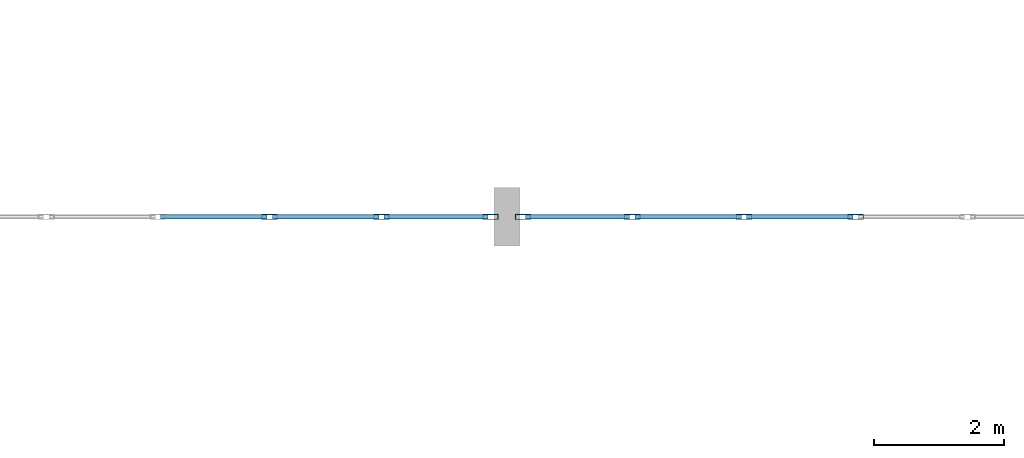
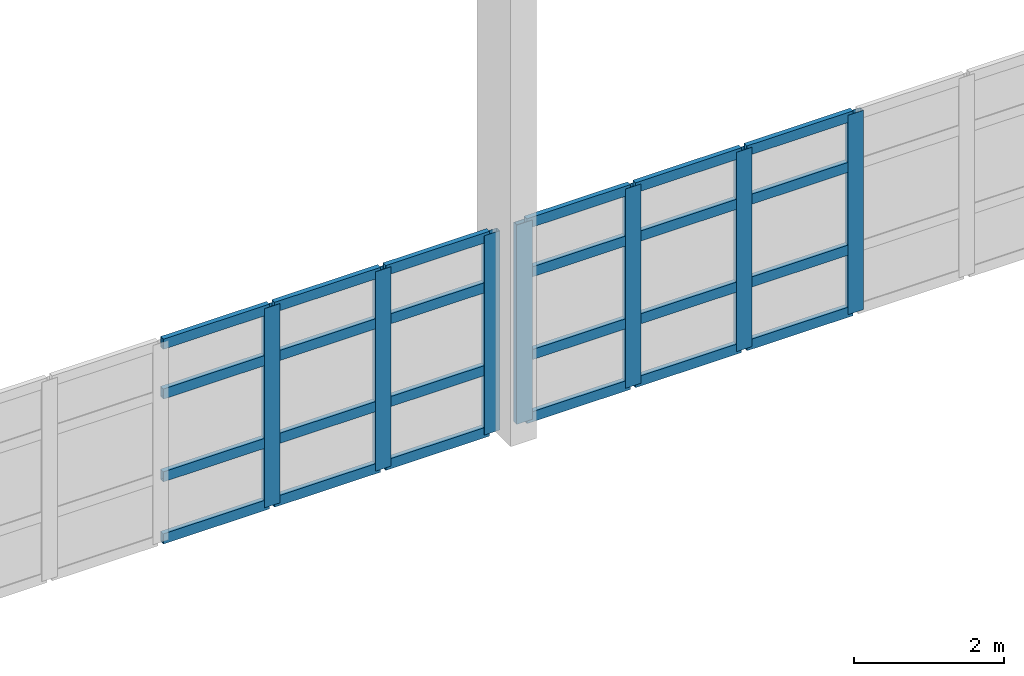
# One storey, part 29 of 80: 31 members, 2 elements without a shape of their own.
"""IFC4 building model written with IfcOpenShell, lengths in metres."""

from ifc_helpers import new_model, si_unit, direction, frame, origin, origin_2d, place, context, subcontext, project, spatial, hollow_rectangle, extrude, material, layer, layer_set, material_profile, profile_set, type_object, element, aggregate, save


model = new_model("IFC4")

# Units and contexts
model_context = context("Model", 3, precision=1e-05, world=origin(), true_north=direction((0.0, 1.0)))
body_context = subcontext(model_context, "Body", "Model", "MODEL_VIEW")
ifc_project = project(units=[si_unit("LENGTHUNIT", "METRE"), si_unit("AREAUNIT", "SQUARE_METRE"), si_unit("VOLUMEUNIT", "CUBIC_METRE"), si_unit("PLANEANGLEUNIT", "RADIAN"), si_unit("MASSUNIT", "GRAM", prefix="KILO")], contexts=[model_context])

# Site, building, storey
site_placement = place(None, origin())
site = spatial("IfcSite", under=ifc_project, at=site_placement, CompositionType="ELEMENT")
building_placement = place(site_placement, origin())
building = spatial("IfcBuilding", under=site, at=building_placement, Name="Ornek Quay Market", CompositionType="ELEMENT")
storey_placement = place(building_placement, frame((0.0, 0.0, 8.39990234375)))
storey = spatial("IfcBuildingStorey", under=building, at=storey_placement, Name="L02", CompositionType="ELEMENT", Elevation=8.39990234375)

# Curtain wall, members
ifc_material_1 = material(Name="Anodised bronze aluminium and triple low-e glass", Category="aluminium")
ifc_layer = layer(ifc_material_1, 0.239990234375, Name="Anodised bronze aluminium and triple low-e glass", Category="aluminium")
ifc_layer_set = layer_set([ifc_layer], Name="Anodised bronze aluminium and triple low-e glass")
curtain_wall_type = type_object("IfcCurtainWallType", Name="CW-GAB-MOD1800", PredefinedType="USERDEFINED", material=ifc_layer_set)
curtain_wall_1_placement = place(storey_placement, origin())
curtain_wall_1 = element("IfcCurtainWall", 1, at=curtain_wall_1_placement, inside=storey, type_object=curtain_wall_type, Name="Curtain wall CW-070", ObjectType="CURTAIN WALL", PredefinedType="USERDEFINED")
ifc_material_2 = material(Name="Anodised aluminium 6063-T6", Category="aluminium")
ifc_material_profile_1 = material_profile(ifc_material_2, hollow_rectangle(XDim=0.080078125, YDim=0.239990234375, WallThickness=0.006103515625, at=origin_2d()), Name="CW-MUL-80x240", Category="aluminium")
ifc_profile_set_1 = profile_set([ifc_material_profile_1], Name="Anodised aluminium 6063-T6")
member_type_1 = type_object("IfcMemberType", Name="CW-MUL-80x240", PredefinedType="MULLION", material=ifc_profile_set_1)
member_1_placement = place(storey_placement, frame((86.35791015625, 92.0, 0.0), z_axis=(0.0, 0.0, 1.0), x_axis=(0.0, 1.0, 0.0)))
member_1 = element("IfcMember", 2, at=member_1_placement, type_object=member_type_1, Name="CW-070 mullion 4", PredefinedType="MULLION", context=body_context, shape_type="SweptSolid", body=[
    extrude(hollow_rectangle(XDim=0.080078125, YDim=0.239990234375, WallThickness=0.006103515625, at=origin_2d()), origin(), (0.0, 0.0, 1.0), 3.25),
])
member_2_placement = place(storey_placement, frame((88.073974609375, 92.0, 0.0), z_axis=(0.0, 0.0, 1.0), x_axis=(0.0, 1.0, 0.0)))
member_2 = element("IfcMember", 3, at=member_2_placement, type_object=member_type_1, Name="CW-070 mullion 5", PredefinedType="MULLION", context=body_context, shape_type="SweptSolid", body=[
    extrude(hollow_rectangle(XDim=0.080078125, YDim=0.239990234375, WallThickness=0.006103515625, at=origin_2d()), origin(), (0.0, 0.0, 1.0), 3.25),
])
member_3_placement = place(storey_placement, frame((89.75, 92.0, 0.0), z_axis=(0.0, 0.0, 1.0), x_axis=(0.0, 1.0, 0.0)))
member_3 = element("IfcMember", 4, at=member_3_placement, type_object=member_type_1, Name="CW-070 mullion 6", PredefinedType="MULLION", context=body_context, shape_type="SweptSolid", body=[
    extrude(hollow_rectangle(XDim=0.080078125, YDim=0.239990234375, WallThickness=0.006103515625, at=origin_2d()), origin(), (0.0, 0.0, 1.0), 3.25),
])

curtain_wall_2_placement = place(storey_placement, origin())
curtain_wall_2 = element("IfcCurtainWall", 5, at=curtain_wall_2_placement, inside=storey, type_object=curtain_wall_type, Name="Curtain wall CW-073", ObjectType="CURTAIN WALL", PredefinedType="USERDEFINED")
member_4_placement = place(storey_placement, frame((90.25, 92.0, 0.0), z_axis=(0.0, 0.0, 1.0), x_axis=(0.0, 1.0, 0.0)))
member_4 = element("IfcMember", 6, at=member_4_placement, type_object=member_type_1, Name="CW-073 mullion 1", PredefinedType="MULLION", context=body_context, shape_type="SweptSolid", body=[
    extrude(hollow_rectangle(XDim=0.080078125, YDim=0.239990234375, WallThickness=0.006103515625, at=origin_2d()), origin(), (0.0, 0.0, 1.0), 3.25),
])
member_5_placement = place(storey_placement, frame((91.926025390625, 92.0, 0.0), z_axis=(0.0, 0.0, 1.0), x_axis=(0.0, 1.0, 0.0)))
member_5 = element("IfcMember", 7, at=member_5_placement, type_object=member_type_1, Name="CW-073 mullion 2", PredefinedType="MULLION", context=body_context, shape_type="SweptSolid", body=[
    extrude(hollow_rectangle(XDim=0.080078125, YDim=0.239990234375, WallThickness=0.006103515625, at=origin_2d()), origin(), (0.0, 0.0, 1.0), 3.25),
])
member_6_placement = place(storey_placement, frame((93.64208984375, 92.0, 0.0), z_axis=(0.0, 0.0, 1.0), x_axis=(0.0, 1.0, 0.0)))
member_6 = element("IfcMember", 8, at=member_6_placement, type_object=member_type_1, Name="CW-073 mullion 3", PredefinedType="MULLION", context=body_context, shape_type="SweptSolid", body=[
    extrude(hollow_rectangle(XDim=0.080078125, YDim=0.239990234375, WallThickness=0.006103515625, at=origin_2d()), origin(), (0.0, 0.0, 1.0), 3.25),
])
member_7_placement = place(storey_placement, frame((95.35791015625, 92.0, 0.0), z_axis=(0.0, 0.0, 1.0), x_axis=(0.0, 1.0, 0.0)))
member_7 = element("IfcMember", 9, at=member_7_placement, type_object=member_type_1, Name="CW-073 mullion 4", PredefinedType="MULLION", context=body_context, shape_type="SweptSolid", body=[
    extrude(hollow_rectangle(XDim=0.080078125, YDim=0.239990234375, WallThickness=0.006103515625, at=origin_2d()), origin(), (0.0, 0.0, 1.0), 3.25),
])

# Member
ifc_material_profile_2 = material_profile(ifc_material_2, hollow_rectangle(XDim=0.074951171875, YDim=0.1650390625, WallThickness=0.0048828125, at=origin_2d()), Name="CW-TRN-75x165", Category="aluminium")
ifc_profile_set_2 = profile_set([ifc_material_profile_2], Name="Anodised aluminium 6063-T6")
member_type_2 = type_object("IfcMemberType", Name="CW-TRN-75x165", PredefinedType="USERDEFINED", material=ifc_profile_set_2)
member_8_placement = place(storey_placement, frame((84.681884765625, 92.0, 0.03759765625), z_axis=(1.0, 0.0, 0.0), x_axis=(0.0, 1.0, 0.0)))
member_8 = element("IfcMember", 10, at=member_8_placement, type_object=member_type_2, Name="CW-070 transom 3.1", ObjectType="TRANSOM", PredefinedType="USERDEFINED", context=body_context, shape_type="SweptSolid", body=[
    extrude(hollow_rectangle(XDim=0.074951171875, YDim=0.1650390625, WallThickness=0.0048828125, at=origin_2d()), origin(), (0.0, 0.0, 1.0), 1.63623046875),
])

member_9_placement = place(storey_placement, frame((84.681884765625, 92.0, 1.050048828125), z_axis=(1.0, 0.0, 0.0), x_axis=(0.0, 1.0, 0.0)))
member_9 = element("IfcMember", 11, at=member_9_placement, type_object=member_type_2, Name="CW-070 transom 3.2", ObjectType="TRANSOM", PredefinedType="USERDEFINED", context=body_context, shape_type="SweptSolid", body=[
    extrude(hollow_rectangle(XDim=0.074951171875, YDim=0.1650390625, WallThickness=0.0048828125, at=origin_2d()), origin(), (0.0, 0.0, 1.0), 1.63623046875),
])

member_10_placement = place(storey_placement, frame((84.681884765625, 92.0, 2.400146484375), z_axis=(1.0, 0.0, 0.0), x_axis=(0.0, 1.0, 0.0)))
member_10 = element("IfcMember", 12, at=member_10_placement, type_object=member_type_2, Name="CW-070 transom 3.3", ObjectType="TRANSOM", PredefinedType="USERDEFINED", context=body_context, shape_type="SweptSolid", body=[
    extrude(hollow_rectangle(XDim=0.074951171875, YDim=0.1650390625, WallThickness=0.0048828125, at=origin_2d()), origin(), (0.0, 0.0, 1.0), 1.63623046875),
])

member_11_placement = place(storey_placement, frame((84.681884765625, 92.0, 3.212646484375), z_axis=(1.0, 0.0, 0.0), x_axis=(0.0, 1.0, 0.0)))
member_11 = element("IfcMember", 13, at=member_11_placement, type_object=member_type_2, Name="CW-070 transom 3.4", ObjectType="TRANSOM", PredefinedType="USERDEFINED", context=body_context, shape_type="SweptSolid", body=[
    extrude(hollow_rectangle(XDim=0.074951171875, YDim=0.1650390625, WallThickness=0.0048828125, at=origin_2d()), origin(), (0.0, 0.0, 1.0), 1.63623046875),
])

member_12_placement = place(storey_placement, frame((86.39794921875, 92.0, 0.03759765625), z_axis=(1.0, 0.0, 0.0), x_axis=(0.0, 1.0, 0.0)))
member_12 = element("IfcMember", 14, at=member_12_placement, type_object=member_type_2, Name="CW-070 transom 4.1", ObjectType="TRANSOM", PredefinedType="USERDEFINED", context=body_context, shape_type="SweptSolid", body=[
    extrude(hollow_rectangle(XDim=0.074951171875, YDim=0.1650390625, WallThickness=0.0048828125, at=origin_2d()), origin(), (0.0, 0.0, 1.0), 1.635986328125),
])

member_13_placement = place(storey_placement, frame((86.39794921875, 92.0, 1.050048828125), z_axis=(1.0, 0.0, 0.0), x_axis=(0.0, 1.0, 0.0)))
member_13 = element("IfcMember", 15, at=member_13_placement, type_object=member_type_2, Name="CW-070 transom 4.2", ObjectType="TRANSOM", PredefinedType="USERDEFINED", context=body_context, shape_type="SweptSolid", body=[
    extrude(hollow_rectangle(XDim=0.074951171875, YDim=0.1650390625, WallThickness=0.0048828125, at=origin_2d()), origin(), (0.0, 0.0, 1.0), 1.635986328125),
])

member_14_placement = place(storey_placement, frame((86.39794921875, 92.0, 2.400146484375), z_axis=(1.0, 0.0, 0.0), x_axis=(0.0, 1.0, 0.0)))
member_14 = element("IfcMember", 16, at=member_14_placement, type_object=member_type_2, Name="CW-070 transom 4.3", ObjectType="TRANSOM", PredefinedType="USERDEFINED", context=body_context, shape_type="SweptSolid", body=[
    extrude(hollow_rectangle(XDim=0.074951171875, YDim=0.1650390625, WallThickness=0.0048828125, at=origin_2d()), origin(), (0.0, 0.0, 1.0), 1.635986328125),
])

member_15_placement = place(storey_placement, frame((86.39794921875, 92.0, 3.212646484375), z_axis=(1.0, 0.0, 0.0), x_axis=(0.0, 1.0, 0.0)))
member_15 = element("IfcMember", 17, at=member_15_placement, type_object=member_type_2, Name="CW-070 transom 4.4", ObjectType="TRANSOM", PredefinedType="USERDEFINED", context=body_context, shape_type="SweptSolid", body=[
    extrude(hollow_rectangle(XDim=0.074951171875, YDim=0.1650390625, WallThickness=0.0048828125, at=origin_2d()), origin(), (0.0, 0.0, 1.0), 1.635986328125),
])

member_16_placement = place(storey_placement, frame((88.114013671875, 92.0, 0.03759765625), z_axis=(1.0, 0.0, 0.0), x_axis=(0.0, 1.0, 0.0)))
member_16 = element("IfcMember", 18, at=member_16_placement, type_object=member_type_2, Name="CW-070 transom 5.1", ObjectType="TRANSOM", PredefinedType="USERDEFINED", context=body_context, shape_type="SweptSolid", body=[
    extrude(hollow_rectangle(XDim=0.074951171875, YDim=0.1650390625, WallThickness=0.0048828125, at=origin_2d()), origin(), (0.0, 0.0, 1.0), 1.595947265625),
])

member_17_placement = place(storey_placement, frame((88.114013671875, 92.0, 1.050048828125), z_axis=(1.0, 0.0, 0.0), x_axis=(0.0, 1.0, 0.0)))
member_17 = element("IfcMember", 19, at=member_17_placement, type_object=member_type_2, Name="CW-070 transom 5.2", ObjectType="TRANSOM", PredefinedType="USERDEFINED", context=body_context, shape_type="SweptSolid", body=[
    extrude(hollow_rectangle(XDim=0.074951171875, YDim=0.1650390625, WallThickness=0.0048828125, at=origin_2d()), origin(), (0.0, 0.0, 1.0), 1.595947265625),
])

member_18_placement = place(storey_placement, frame((88.114013671875, 92.0, 2.400146484375), z_axis=(1.0, 0.0, 0.0), x_axis=(0.0, 1.0, 0.0)))
member_18 = element("IfcMember", 20, at=member_18_placement, type_object=member_type_2, Name="CW-070 transom 5.3", ObjectType="TRANSOM", PredefinedType="USERDEFINED", context=body_context, shape_type="SweptSolid", body=[
    extrude(hollow_rectangle(XDim=0.074951171875, YDim=0.1650390625, WallThickness=0.0048828125, at=origin_2d()), origin(), (0.0, 0.0, 1.0), 1.595947265625),
])

member_19_placement = place(storey_placement, frame((88.114013671875, 92.0, 3.212646484375), z_axis=(1.0, 0.0, 0.0), x_axis=(0.0, 1.0, 0.0)))
member_19 = element("IfcMember", 21, at=member_19_placement, type_object=member_type_2, Name="CW-070 transom 5.4", ObjectType="TRANSOM", PredefinedType="USERDEFINED", context=body_context, shape_type="SweptSolid", body=[
    extrude(hollow_rectangle(XDim=0.074951171875, YDim=0.1650390625, WallThickness=0.0048828125, at=origin_2d()), origin(), (0.0, 0.0, 1.0), 1.595947265625),
])

aggregate(curtain_wall_1, [member_1, member_2, member_3, member_8, member_9, member_10, member_11, member_12, member_13, member_14, member_15, member_16, member_17, member_18, member_19])

member_20_placement = place(storey_placement, frame((90.2900390625, 92.0, 0.03759765625), z_axis=(1.0, 0.0, 0.0), x_axis=(0.0, 1.0, 0.0)))
member_20 = element("IfcMember", 22, at=member_20_placement, type_object=member_type_2, Name="CW-073 transom 1.1", ObjectType="TRANSOM", PredefinedType="USERDEFINED", context=body_context, shape_type="SweptSolid", body=[
    extrude(hollow_rectangle(XDim=0.074951171875, YDim=0.1650390625, WallThickness=0.0048828125, at=origin_2d()), origin(), (0.0, 0.0, 1.0), 1.595947265625),
])

member_21_placement = place(storey_placement, frame((90.2900390625, 92.0, 1.050048828125), z_axis=(1.0, 0.0, 0.0), x_axis=(0.0, 1.0, 0.0)))
member_21 = element("IfcMember", 23, at=member_21_placement, type_object=member_type_2, Name="CW-073 transom 1.2", ObjectType="TRANSOM", PredefinedType="USERDEFINED", context=body_context, shape_type="SweptSolid", body=[
    extrude(hollow_rectangle(XDim=0.074951171875, YDim=0.1650390625, WallThickness=0.0048828125, at=origin_2d()), origin(), (0.0, 0.0, 1.0), 1.595947265625),
])

member_22_placement = place(storey_placement, frame((90.2900390625, 92.0, 2.400146484375), z_axis=(1.0, 0.0, 0.0), x_axis=(0.0, 1.0, 0.0)))
member_22 = element("IfcMember", 24, at=member_22_placement, type_object=member_type_2, Name="CW-073 transom 1.3", ObjectType="TRANSOM", PredefinedType="USERDEFINED", context=body_context, shape_type="SweptSolid", body=[
    extrude(hollow_rectangle(XDim=0.074951171875, YDim=0.1650390625, WallThickness=0.0048828125, at=origin_2d()), origin(), (0.0, 0.0, 1.0), 1.595947265625),
])

member_23_placement = place(storey_placement, frame((90.2900390625, 92.0, 3.212646484375), z_axis=(1.0, 0.0, 0.0), x_axis=(0.0, 1.0, 0.0)))
member_23 = element("IfcMember", 25, at=member_23_placement, type_object=member_type_2, Name="CW-073 transom 1.4", ObjectType="TRANSOM", PredefinedType="USERDEFINED", context=body_context, shape_type="SweptSolid", body=[
    extrude(hollow_rectangle(XDim=0.074951171875, YDim=0.1650390625, WallThickness=0.0048828125, at=origin_2d()), origin(), (0.0, 0.0, 1.0), 1.595947265625),
])

member_24_placement = place(storey_placement, frame((91.966064453125, 92.0, 0.03759765625), z_axis=(1.0, 0.0, 0.0), x_axis=(0.0, 1.0, 0.0)))
member_24 = element("IfcMember", 26, at=member_24_placement, type_object=member_type_2, Name="CW-073 transom 2.1", ObjectType="TRANSOM", PredefinedType="USERDEFINED", context=body_context, shape_type="SweptSolid", body=[
    extrude(hollow_rectangle(XDim=0.074951171875, YDim=0.1650390625, WallThickness=0.0048828125, at=origin_2d()), origin(), (0.0, 0.0, 1.0), 1.635986328125),
])

member_25_placement = place(storey_placement, frame((91.966064453125, 92.0, 1.050048828125), z_axis=(1.0, 0.0, 0.0), x_axis=(0.0, 1.0, 0.0)))
member_25 = element("IfcMember", 27, at=member_25_placement, type_object=member_type_2, Name="CW-073 transom 2.2", ObjectType="TRANSOM", PredefinedType="USERDEFINED", context=body_context, shape_type="SweptSolid", body=[
    extrude(hollow_rectangle(XDim=0.074951171875, YDim=0.1650390625, WallThickness=0.0048828125, at=origin_2d()), origin(), (0.0, 0.0, 1.0), 1.635986328125),
])

member_26_placement = place(storey_placement, frame((91.966064453125, 92.0, 2.400146484375), z_axis=(1.0, 0.0, 0.0), x_axis=(0.0, 1.0, 0.0)))
member_26 = element("IfcMember", 28, at=member_26_placement, type_object=member_type_2, Name="CW-073 transom 2.3", ObjectType="TRANSOM", PredefinedType="USERDEFINED", context=body_context, shape_type="SweptSolid", body=[
    extrude(hollow_rectangle(XDim=0.074951171875, YDim=0.1650390625, WallThickness=0.0048828125, at=origin_2d()), origin(), (0.0, 0.0, 1.0), 1.635986328125),
])

member_27_placement = place(storey_placement, frame((91.966064453125, 92.0, 3.212646484375), z_axis=(1.0, 0.0, 0.0), x_axis=(0.0, 1.0, 0.0)))
member_27 = element("IfcMember", 29, at=member_27_placement, type_object=member_type_2, Name="CW-073 transom 2.4", ObjectType="TRANSOM", PredefinedType="USERDEFINED", context=body_context, shape_type="SweptSolid", body=[
    extrude(hollow_rectangle(XDim=0.074951171875, YDim=0.1650390625, WallThickness=0.0048828125, at=origin_2d()), origin(), (0.0, 0.0, 1.0), 1.635986328125),
])

member_28_placement = place(storey_placement, frame((93.681884765625, 92.0, 0.03759765625), z_axis=(1.0, 0.0, 0.0), x_axis=(0.0, 1.0, 0.0)))
member_28 = element("IfcMember", 30, at=member_28_placement, type_object=member_type_2, Name="CW-073 transom 3.1", ObjectType="TRANSOM", PredefinedType="USERDEFINED", context=body_context, shape_type="SweptSolid", body=[
    extrude(hollow_rectangle(XDim=0.074951171875, YDim=0.1650390625, WallThickness=0.0048828125, at=origin_2d()), origin(), (0.0, 0.0, 1.0), 1.63623046875),
])

member_29_placement = place(storey_placement, frame((93.681884765625, 92.0, 1.050048828125), z_axis=(1.0, 0.0, 0.0), x_axis=(0.0, 1.0, 0.0)))
member_29 = element("IfcMember", 31, at=member_29_placement, type_object=member_type_2, Name="CW-073 transom 3.2", ObjectType="TRANSOM", PredefinedType="USERDEFINED", context=body_context, shape_type="SweptSolid", body=[
    extrude(hollow_rectangle(XDim=0.074951171875, YDim=0.1650390625, WallThickness=0.0048828125, at=origin_2d()), origin(), (0.0, 0.0, 1.0), 1.63623046875),
])

member_30_placement = place(storey_placement, frame((93.681884765625, 92.0, 2.400146484375), z_axis=(1.0, 0.0, 0.0), x_axis=(0.0, 1.0, 0.0)))
member_30 = element("IfcMember", 32, at=member_30_placement, type_object=member_type_2, Name="CW-073 transom 3.3", ObjectType="TRANSOM", PredefinedType="USERDEFINED", context=body_context, shape_type="SweptSolid", body=[
    extrude(hollow_rectangle(XDim=0.074951171875, YDim=0.1650390625, WallThickness=0.0048828125, at=origin_2d()), origin(), (0.0, 0.0, 1.0), 1.63623046875),
])

member_31_placement = place(storey_placement, frame((93.681884765625, 92.0, 3.212646484375), z_axis=(1.0, 0.0, 0.0), x_axis=(0.0, 1.0, 0.0)))
member_31 = element("IfcMember", 33, at=member_31_placement, type_object=member_type_2, Name="CW-073 transom 3.4", ObjectType="TRANSOM", PredefinedType="USERDEFINED", context=body_context, shape_type="SweptSolid", body=[
    extrude(hollow_rectangle(XDim=0.074951171875, YDim=0.1650390625, WallThickness=0.0048828125, at=origin_2d()), origin(), (0.0, 0.0, 1.0), 1.63623046875),
])

aggregate(curtain_wall_2, [member_4, member_5, member_6, member_7, member_20, member_21, member_22, member_23, member_24, member_25, member_26, member_27, member_28, member_29, member_30, member_31])

save(model, "model.ifc")
